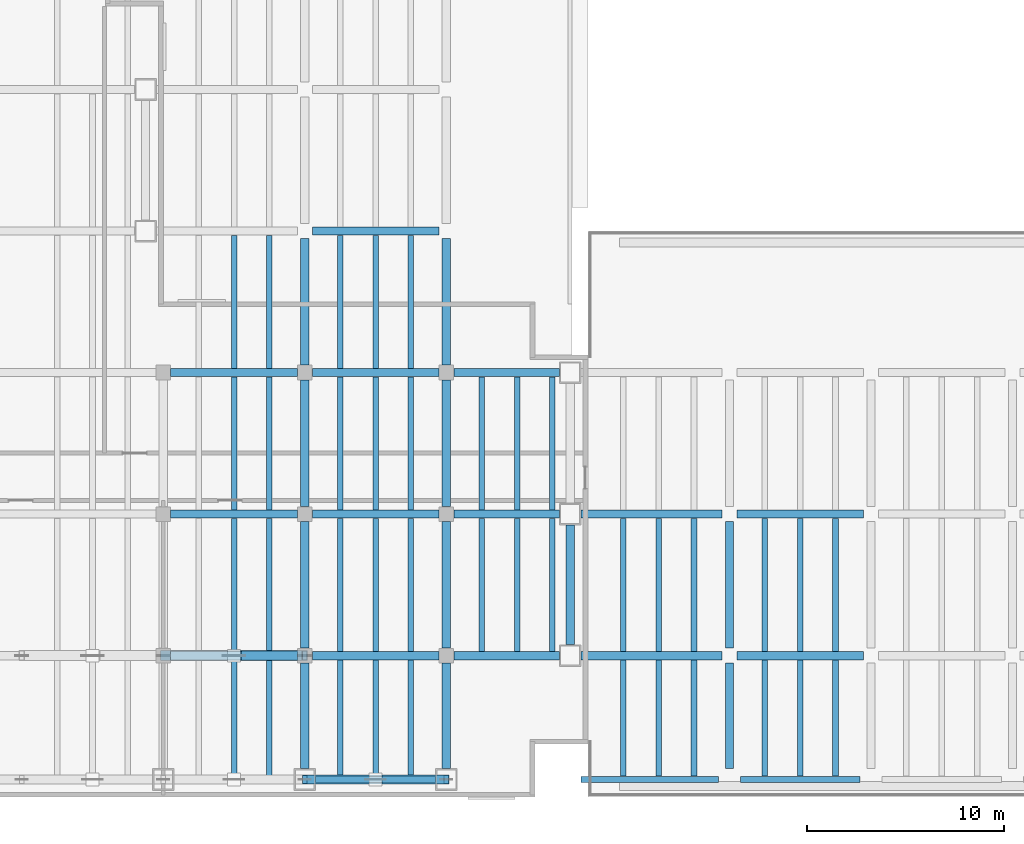
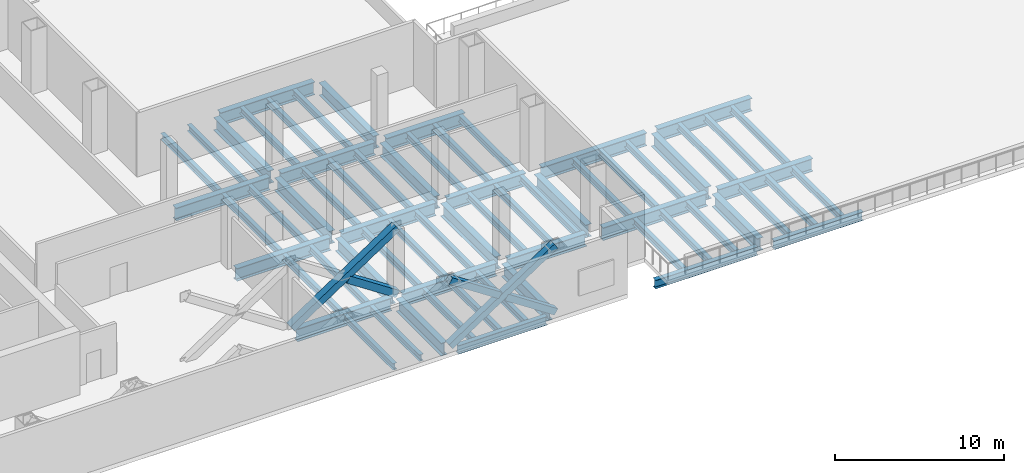
# One storey, part 2 of 12: 66 beams, 5 members.
"""IFC4 building model written with IfcOpenShell, lengths in metres."""

from ifc_helpers import new_model, si_unit, direction, frame, origin, origin_2d, place, context, subcontext, project, spatial, hollow_rectangle, i_section, extrude, material, material_profile, profile_set, type_object, element, save


model = new_model("IFC4")

# Units and contexts
model_context = context("Model", 3, precision=1e-05, world=origin(), true_north=direction((0.0, 1.0)))
body_context = subcontext(model_context, "Body", "Model", "MODEL_VIEW")
ifc_project = project(units=[si_unit("LENGTHUNIT", "METRE"), si_unit("AREAUNIT", "SQUARE_METRE"), si_unit("VOLUMEUNIT", "CUBIC_METRE"), si_unit("PLANEANGLEUNIT", "RADIAN"), si_unit("MASSUNIT", "GRAM", prefix="KILO")], contexts=[model_context])

# Site, building, storey
site_placement = place(None, origin())
site = spatial("IfcSite", under=ifc_project, at=site_placement, CompositionType="ELEMENT")
building_placement = place(site_placement, origin())
building = spatial("IfcBuilding", under=site, at=building_placement, Name="Cobrela Telecom Tower", CompositionType="ELEMENT")
storey_placement = place(building_placement, frame((0.0, 0.0, 26.25)))
storey = spatial("IfcBuildingStorey", under=building, at=storey_placement, Name="L06", CompositionType="ELEMENT", Elevation=26.25)

# Beams
ifc_material_1 = material(Name="Steel ASTM A992 Grade 50", Category="steel")
ifc_material_profile_1 = material_profile(ifc_material_1, i_section(OverallWidth=0.4189453125, OverallDepth=0.927001953125, WebThickness=0.019287109375, FlangeThickness=0.031982421875, FilletRadius=0.02392578125, at=origin_2d()), Name="W36X231")
ifc_profile_set_1 = profile_set([ifc_material_profile_1], Name="Steel ASTM A992 Grade 50")
beam_type_1 = type_object("IfcBeamType", Name="BM-GIRD-02", PredefinedType="USERDEFINED", material=ifc_profile_set_1)
for number, where, z_axis, x_axis, name in (
    (1, (29.179931640625, 7.199951171875, -0.763427734375), (1.0, 0.0, 0.0), (0.0, 1.0, 0.0), "L06 Primary Girder X12"),
    (2, (36.3798828125, 7.199951171875, -0.763427734375), (1.0, 0.0, 0.0), (0.0, 1.0, 0.0), "L06 Primary Girder X13"),
):
    element("IfcBeam", number, at=place(storey_placement, frame(where, z_axis=z_axis, x_axis=x_axis)), inside=storey, type_object=beam_type_1, Name=name, ObjectType="GIRDER", PredefinedType="USERDEFINED", context=body_context, shape_type="SweptSolid", body=[
        extrude(i_section(OverallWidth=0.4189453125, OverallDepth=0.927001953125, WebThickness=0.019287109375, FlangeThickness=0.031982421875, FilletRadius=0.02392578125, at=origin_2d()), origin(), (0.0, 0.0, 1.0), 6.440185546875),
    ])
beam_1_placement = place(storey_placement, frame((43.580078125, 7.199951171875, -0.763427734375), z_axis=(1.0, 0.0, 0.0), x_axis=(0.0, 1.0, 0.0)))
element("IfcBeam", 3, at=beam_1_placement, inside=storey, type_object=beam_type_1, Name="L06 Primary Girder X14", ObjectType="GIRDER", PredefinedType="USERDEFINED", context=body_context, shape_type="SweptSolid", body=[
    extrude(i_section(OverallWidth=0.4189453125, OverallDepth=0.927001953125, WebThickness=0.019287109375, FlangeThickness=0.031982421875, FilletRadius=0.02392578125, at=origin_2d()), origin(), (0.0, 0.0, 1.0), 5.364990234375),
])
beam_2_placement = place(storey_placement, frame((50.054931640625, 7.199951171875, -0.763427734375), z_axis=(1.0, 0.0, 0.0), x_axis=(0.0, 1.0, 0.0)))
element("IfcBeam", 4, at=beam_2_placement, inside=storey, type_object=beam_type_1, Name="L06 Primary Girder X15", ObjectType="GIRDER", PredefinedType="USERDEFINED", context=body_context, shape_type="SweptSolid", body=[
    extrude(i_section(OverallWidth=0.4189453125, OverallDepth=0.927001953125, WebThickness=0.019287109375, FlangeThickness=0.031982421875, FilletRadius=0.02392578125, at=origin_2d()), origin(), (0.0, 0.0, 1.0), 7.1650390625),
])
beam_3_placement = place(storey_placement, frame((57.97998046875, 7.199951171875, -0.763427734375), z_axis=(1.0, 0.0, 0.0), x_axis=(0.0, 1.0, 0.0)))
element("IfcBeam", 5, at=beam_3_placement, inside=storey, type_object=beam_type_1, Name="L06 Primary Girder X16", ObjectType="GIRDER", PredefinedType="USERDEFINED", context=body_context, shape_type="SweptSolid", body=[
    extrude(i_section(OverallWidth=0.4189453125, OverallDepth=0.927001953125, WebThickness=0.019287109375, FlangeThickness=0.031982421875, FilletRadius=0.02392578125, at=origin_2d()), origin(), (0.0, 0.0, 1.0), 6.43994140625),
])
for number, where, z_axis, x_axis, name in (
    (6, (29.179931640625, 14.39990234375, -0.763427734375), (1.0, 0.0, 0.0), (0.0, 1.0, 0.0), "L06 Primary Girder X20"),
    (7, (36.3798828125, 14.39990234375, -0.763427734375), (1.0, 0.0, 0.0), (0.0, 1.0, 0.0), "L06 Primary Girder X21"),
):
    element("IfcBeam", number, at=place(storey_placement, frame(where, z_axis=z_axis, x_axis=x_axis)), inside=storey, type_object=beam_type_1, Name=name, ObjectType="GIRDER", PredefinedType="USERDEFINED", context=body_context, shape_type="SweptSolid", body=[
        extrude(i_section(OverallWidth=0.4189453125, OverallDepth=0.927001953125, WebThickness=0.019287109375, FlangeThickness=0.031982421875, FilletRadius=0.02392578125, at=origin_2d()), origin(), (0.0, 0.0, 1.0), 6.440185546875),
    ])
beam_4_placement = place(storey_placement, frame((43.580078125, 14.39990234375, -0.763427734375), z_axis=(1.0, 0.0, 0.0), x_axis=(0.0, 1.0, 0.0)))
element("IfcBeam", 8, at=beam_4_placement, inside=storey, type_object=beam_type_1, Name="L06 Primary Girder X22", ObjectType="GIRDER", PredefinedType="USERDEFINED", context=body_context, shape_type="SweptSolid", body=[
    extrude(i_section(OverallWidth=0.4189453125, OverallDepth=0.927001953125, WebThickness=0.019287109375, FlangeThickness=0.031982421875, FilletRadius=0.02392578125, at=origin_2d()), origin(), (0.0, 0.0, 1.0), 5.364990234375),
])
beam_5_placement = place(storey_placement, frame((50.054931640625, 14.39990234375, -0.763427734375), z_axis=(1.0, 0.0, 0.0), x_axis=(0.0, 1.0, 0.0)))
element("IfcBeam", 9, at=beam_5_placement, inside=storey, type_object=beam_type_1, Name="L06 Primary Girder X23", ObjectType="GIRDER", PredefinedType="USERDEFINED", context=body_context, shape_type="SweptSolid", body=[
    extrude(i_section(OverallWidth=0.4189453125, OverallDepth=0.927001953125, WebThickness=0.019287109375, FlangeThickness=0.031982421875, FilletRadius=0.02392578125, at=origin_2d()), origin(), (0.0, 0.0, 1.0), 7.1650390625),
])
beam_6_placement = place(storey_placement, frame((57.97998046875, 14.39990234375, -0.763427734375), z_axis=(1.0, 0.0, 0.0), x_axis=(0.0, 1.0, 0.0)))
element("IfcBeam", 10, at=beam_6_placement, inside=storey, type_object=beam_type_1, Name="L06 Primary Girder X24", ObjectType="GIRDER", PredefinedType="USERDEFINED", context=body_context, shape_type="SweptSolid", body=[
    extrude(i_section(OverallWidth=0.4189453125, OverallDepth=0.927001953125, WebThickness=0.019287109375, FlangeThickness=0.031982421875, FilletRadius=0.02392578125, at=origin_2d()), origin(), (0.0, 0.0, 1.0), 6.43994140625),
])
for number, where, z_axis, x_axis, name in (
    (11, (29.179931640625, 21.60009765625, -0.763427734375), (1.0, 0.0, 0.0), (0.0, 1.0, 0.0), "L06 Primary Girder X29"),
    (12, (36.3798828125, 21.60009765625, -0.763427734375), (1.0, 0.0, 0.0), (0.0, 1.0, 0.0), "L06 Primary Girder X30"),
):
    element("IfcBeam", number, at=place(storey_placement, frame(where, z_axis=z_axis, x_axis=x_axis)), inside=storey, type_object=beam_type_1, Name=name, ObjectType="GIRDER", PredefinedType="USERDEFINED", context=body_context, shape_type="SweptSolid", body=[
        extrude(i_section(OverallWidth=0.4189453125, OverallDepth=0.927001953125, WebThickness=0.019287109375, FlangeThickness=0.031982421875, FilletRadius=0.02392578125, at=origin_2d()), origin(), (0.0, 0.0, 1.0), 6.440185546875),
    ])
beam_7_placement = place(storey_placement, frame((43.580078125, 21.60009765625, -0.763427734375), z_axis=(1.0, 0.0, 0.0), x_axis=(0.0, 1.0, 0.0)))
element("IfcBeam", 13, at=beam_7_placement, inside=storey, type_object=beam_type_1, Name="L06 Primary Girder X31", ObjectType="GIRDER", PredefinedType="USERDEFINED", context=body_context, shape_type="SweptSolid", body=[
    extrude(i_section(OverallWidth=0.4189453125, OverallDepth=0.927001953125, WebThickness=0.019287109375, FlangeThickness=0.031982421875, FilletRadius=0.02392578125, at=origin_2d()), origin(), (0.0, 0.0, 1.0), 5.364990234375),
])
beam_8_placement = place(storey_placement, frame((36.3798828125, 28.800048828125, -0.763427734375), z_axis=(1.0, 0.0, 0.0), x_axis=(0.0, 1.0, 0.0)))
element("IfcBeam", 14, at=beam_8_placement, inside=storey, type_object=beam_type_1, Name="L06 Primary Girder X39", ObjectType="GIRDER", PredefinedType="USERDEFINED", context=body_context, shape_type="SweptSolid", body=[
    extrude(i_section(OverallWidth=0.4189453125, OverallDepth=0.927001953125, WebThickness=0.019287109375, FlangeThickness=0.031982421875, FilletRadius=0.02392578125, at=origin_2d()), origin(), (0.0, 0.0, 1.0), 6.440185546875),
])
beam_9_placement = place(storey_placement, frame((36.0, 1.455078125, -0.763427734375), z_axis=(0.0, 1.0, 0.0), x_axis=(-1.0, 0.0, 0.0)))
element("IfcBeam", 15, at=beam_9_placement, inside=storey, type_object=beam_type_1, Name="L06 Primary Girder Y70", ObjectType="GIRDER", PredefinedType="USERDEFINED", context=body_context, shape_type="SweptSolid", body=[
    extrude(i_section(OverallWidth=0.4189453125, OverallDepth=0.927001953125, WebThickness=0.019287109375, FlangeThickness=0.031982421875, FilletRadius=0.02392578125, at=origin_2d()), origin(), (0.0, 0.0, 1.0), 5.364990234375),
])
for number, where, z_axis, x_axis, name in (
    (16, (36.0, 7.580078125, -0.763427734375), (0.0, 1.0, 0.0), (-1.0, 0.0, 0.0), "L06 Primary Girder Y71"),
    (17, (36.0, 14.780029296875, -0.763427734375), (0.0, 1.0, 0.0), (-1.0, 0.0, 0.0), "L06 Primary Girder Y72"),
    (18, (36.0, 21.97998046875, -0.763427734375), (0.0, 1.0, 0.0), (-1.0, 0.0, 0.0), "L06 Primary Girder Y73"),
):
    element("IfcBeam", number, at=place(storey_placement, frame(where, z_axis=z_axis, x_axis=x_axis)), inside=storey, type_object=beam_type_1, Name=name, ObjectType="GIRDER", PredefinedType="USERDEFINED", context=body_context, shape_type="SweptSolid", body=[
        extrude(i_section(OverallWidth=0.4189453125, OverallDepth=0.927001953125, WebThickness=0.019287109375, FlangeThickness=0.031982421875, FilletRadius=0.02392578125, at=origin_2d()), origin(), (0.0, 0.0, 1.0), 6.43994140625),
    ])
beam_10_placement = place(storey_placement, frame((43.199951171875, 1.455078125, -0.763427734375), z_axis=(0.0, 1.0, 0.0), x_axis=(-1.0, 0.0, 0.0)))
element("IfcBeam", 19, at=beam_10_placement, inside=storey, type_object=beam_type_1, Name="L06 Primary Girder Y77", ObjectType="GIRDER", PredefinedType="USERDEFINED", context=body_context, shape_type="SweptSolid", body=[
    extrude(i_section(OverallWidth=0.4189453125, OverallDepth=0.927001953125, WebThickness=0.019287109375, FlangeThickness=0.031982421875, FilletRadius=0.02392578125, at=origin_2d()), origin(), (0.0, 0.0, 1.0), 5.364990234375),
])
for number, where, z_axis, x_axis, name in (
    (20, (43.199951171875, 7.580078125, -0.763427734375), (0.0, 1.0, 0.0), (-1.0, 0.0, 0.0), "L06 Primary Girder Y78"),
    (21, (43.199951171875, 14.780029296875, -0.763427734375), (0.0, 1.0, 0.0), (-1.0, 0.0, 0.0), "L06 Primary Girder Y79"),
    (22, (43.199951171875, 21.97998046875, -0.763427734375), (0.0, 1.0, 0.0), (-1.0, 0.0, 0.0), "L06 Primary Girder Y80"),
):
    element("IfcBeam", number, at=place(storey_placement, frame(where, z_axis=z_axis, x_axis=x_axis)), inside=storey, type_object=beam_type_1, Name=name, ObjectType="GIRDER", PredefinedType="USERDEFINED", context=body_context, shape_type="SweptSolid", body=[
        extrude(i_section(OverallWidth=0.4189453125, OverallDepth=0.927001953125, WebThickness=0.019287109375, FlangeThickness=0.031982421875, FilletRadius=0.02392578125, at=origin_2d()), origin(), (0.0, 0.0, 1.0), 6.43994140625),
    ])
beam_11_placement = place(storey_placement, frame((49.5, 7.7548828125, -0.763427734375), z_axis=(0.0, 1.0, 0.0), x_axis=(-1.0, 0.0, 0.0)))
element("IfcBeam", 23, at=beam_11_placement, inside=storey, type_object=beam_type_1, Name="L06 Primary Girder Y84", ObjectType="GIRDER", PredefinedType="USERDEFINED", context=body_context, shape_type="SweptSolid", body=[
    extrude(i_section(OverallWidth=0.4189453125, OverallDepth=0.927001953125, WebThickness=0.019287109375, FlangeThickness=0.031982421875, FilletRadius=0.02392578125, at=origin_2d()), origin(), (0.0, 0.0, 1.0), 6.090087890625),
])
beam_12_placement = place(storey_placement, frame((57.60009765625, 1.455078125, -0.763427734375), z_axis=(0.0, 1.0, 0.0), x_axis=(-1.0, 0.0, 0.0)))
element("IfcBeam", 24, at=beam_12_placement, inside=storey, type_object=beam_type_1, Name="L06 Primary Girder Y86", ObjectType="GIRDER", PredefinedType="USERDEFINED", context=body_context, shape_type="SweptSolid", body=[
    extrude(i_section(OverallWidth=0.4189453125, OverallDepth=0.927001953125, WebThickness=0.019287109375, FlangeThickness=0.031982421875, FilletRadius=0.02392578125, at=origin_2d()), origin(), (0.0, 0.0, 1.0), 5.364990234375),
])
beam_13_placement = place(storey_placement, frame((57.60009765625, 7.580078125, -0.763427734375), z_axis=(0.0, 1.0, 0.0), x_axis=(-1.0, 0.0, 0.0)))
element("IfcBeam", 25, at=beam_13_placement, inside=storey, type_object=beam_type_1, Name="L06 Primary Girder Y87", ObjectType="GIRDER", PredefinedType="USERDEFINED", context=body_context, shape_type="SweptSolid", body=[
    extrude(i_section(OverallWidth=0.4189453125, OverallDepth=0.927001953125, WebThickness=0.019287109375, FlangeThickness=0.031982421875, FilletRadius=0.02392578125, at=origin_2d()), origin(), (0.0, 0.0, 1.0), 6.43994140625),
])
ifc_material_profile_2 = material_profile(ifc_material_1, i_section(OverallWidth=0.281982421875, OverallDepth=0.467041015625, WebThickness=0.01220703125, FlangeThickness=0.01953125, FilletRadius=0.012939453125, at=origin_2d()), Name="W18X86")
ifc_profile_set_2 = profile_set([ifc_material_profile_2], Name="Steel ASTM A992 Grade 50")
beam_type_2 = type_object("IfcBeamType", Name="BM-JOIST-02", PredefinedType="JOIST", material=ifc_profile_set_2)
beam_14_placement = place(storey_placement, frame((32.39990234375, 1.0673828125, -0.533447265625), z_axis=(0.0, 1.0, 0.0), x_axis=(-1.0, 0.0, 0.0)))
element("IfcBeam", 26, at=beam_14_placement, inside=storey, type_object=beam_type_2, Name="L06 Secondary Composite Floor Beam J60", PredefinedType="JOIST", context=body_context, shape_type="SweptSolid", body=[
    extrude(i_section(OverallWidth=0.281982421875, OverallDepth=0.467041015625, WebThickness=0.01220703125, FlangeThickness=0.01953125, FilletRadius=0.012939453125, at=origin_2d()), origin(), (0.0, 0.0, 1.0), 5.918212890625),
])
for number, where, z_axis, x_axis, name in (
    (27, (32.39990234375, 7.41455078125, -0.533447265625), (0.0, 1.0, 0.0), (-1.0, 0.0, 0.0), "L06 Secondary Composite Floor Beam J61"),
    (28, (32.39990234375, 14.614501953125, -0.533447265625), (0.0, 1.0, 0.0), (-1.0, 0.0, 0.0), "L06 Secondary Composite Floor Beam J62"),
    (29, (32.39990234375, 21.814453125, -0.533447265625), (0.0, 1.0, 0.0), (-1.0, 0.0, 0.0), "L06 Secondary Composite Floor Beam J63"),
):
    element("IfcBeam", number, at=place(storey_placement, frame(where, z_axis=z_axis, x_axis=x_axis)), inside=storey, type_object=beam_type_2, Name=name, PredefinedType="JOIST", context=body_context, shape_type="SweptSolid", body=[
        extrude(i_section(OverallWidth=0.281982421875, OverallDepth=0.467041015625, WebThickness=0.01220703125, FlangeThickness=0.01953125, FilletRadius=0.012939453125, at=origin_2d()), origin(), (0.0, 0.0, 1.0), 6.77099609375),
    ])
beam_15_placement = place(storey_placement, frame((34.199951171875, 1.0673828125, -0.533447265625), z_axis=(0.0, 1.0, 0.0), x_axis=(-1.0, 0.0, 0.0)))
element("IfcBeam", 30, at=beam_15_placement, inside=storey, type_object=beam_type_2, Name="L06 Secondary Composite Floor Beam J66", PredefinedType="JOIST", context=body_context, shape_type="SweptSolid", body=[
    extrude(i_section(OverallWidth=0.281982421875, OverallDepth=0.467041015625, WebThickness=0.01220703125, FlangeThickness=0.01953125, FilletRadius=0.012939453125, at=origin_2d()), origin(), (0.0, 0.0, 1.0), 5.918212890625),
])
for number, where, z_axis, x_axis, name in (
    (31, (34.199951171875, 7.41455078125, -0.533447265625), (0.0, 1.0, 0.0), (-1.0, 0.0, 0.0), "L06 Secondary Composite Floor Beam J67"),
    (32, (34.199951171875, 14.614501953125, -0.533447265625), (0.0, 1.0, 0.0), (-1.0, 0.0, 0.0), "L06 Secondary Composite Floor Beam J68"),
    (33, (34.199951171875, 21.814453125, -0.533447265625), (0.0, 1.0, 0.0), (-1.0, 0.0, 0.0), "L06 Secondary Composite Floor Beam J69"),
):
    element("IfcBeam", number, at=place(storey_placement, frame(where, z_axis=z_axis, x_axis=x_axis)), inside=storey, type_object=beam_type_2, Name=name, PredefinedType="JOIST", context=body_context, shape_type="SweptSolid", body=[
        extrude(i_section(OverallWidth=0.281982421875, OverallDepth=0.467041015625, WebThickness=0.01220703125, FlangeThickness=0.01953125, FilletRadius=0.012939453125, at=origin_2d()), origin(), (0.0, 0.0, 1.0), 6.77099609375),
    ])
beam_16_placement = place(storey_placement, frame((37.800048828125, 1.0673828125, -0.533447265625), z_axis=(0.0, 1.0, 0.0), x_axis=(-1.0, 0.0, 0.0)))
element("IfcBeam", 34, at=beam_16_placement, inside=storey, type_object=beam_type_2, Name="L06 Secondary Composite Floor Beam J73", PredefinedType="JOIST", context=body_context, shape_type="SweptSolid", body=[
    extrude(i_section(OverallWidth=0.281982421875, OverallDepth=0.467041015625, WebThickness=0.01220703125, FlangeThickness=0.01953125, FilletRadius=0.012939453125, at=origin_2d()), origin(), (0.0, 0.0, 1.0), 5.918212890625),
])
for number, where, z_axis, x_axis, name in (
    (35, (37.800048828125, 7.41455078125, -0.533447265625), (0.0, 1.0, 0.0), (-1.0, 0.0, 0.0), "L06 Secondary Composite Floor Beam J74"),
    (36, (37.800048828125, 14.614501953125, -0.533447265625), (0.0, 1.0, 0.0), (-1.0, 0.0, 0.0), "L06 Secondary Composite Floor Beam J75"),
    (37, (37.800048828125, 21.814453125, -0.533447265625), (0.0, 1.0, 0.0), (-1.0, 0.0, 0.0), "L06 Secondary Composite Floor Beam J76"),
):
    element("IfcBeam", number, at=place(storey_placement, frame(where, z_axis=z_axis, x_axis=x_axis)), inside=storey, type_object=beam_type_2, Name=name, PredefinedType="JOIST", context=body_context, shape_type="SweptSolid", body=[
        extrude(i_section(OverallWidth=0.281982421875, OverallDepth=0.467041015625, WebThickness=0.01220703125, FlangeThickness=0.01953125, FilletRadius=0.012939453125, at=origin_2d()), origin(), (0.0, 0.0, 1.0), 6.77099609375),
    ])
beam_17_placement = place(storey_placement, frame((39.60009765625, 1.0673828125, -0.533447265625), z_axis=(0.0, 1.0, 0.0), x_axis=(-1.0, 0.0, 0.0)))
element("IfcBeam", 38, at=beam_17_placement, inside=storey, type_object=beam_type_2, Name="L06 Secondary Composite Floor Beam J80", PredefinedType="JOIST", context=body_context, shape_type="SweptSolid", body=[
    extrude(i_section(OverallWidth=0.281982421875, OverallDepth=0.467041015625, WebThickness=0.01220703125, FlangeThickness=0.01953125, FilletRadius=0.012939453125, at=origin_2d()), origin(), (0.0, 0.0, 1.0), 5.918212890625),
])
for number, where, z_axis, x_axis, name in (
    (39, (39.60009765625, 7.41455078125, -0.533447265625), (0.0, 1.0, 0.0), (-1.0, 0.0, 0.0), "L06 Secondary Composite Floor Beam J81"),
    (40, (39.60009765625, 14.614501953125, -0.533447265625), (0.0, 1.0, 0.0), (-1.0, 0.0, 0.0), "L06 Secondary Composite Floor Beam J82"),
    (41, (39.60009765625, 21.814453125, -0.533447265625), (0.0, 1.0, 0.0), (-1.0, 0.0, 0.0), "L06 Secondary Composite Floor Beam J83"),
):
    element("IfcBeam", number, at=place(storey_placement, frame(where, z_axis=z_axis, x_axis=x_axis)), inside=storey, type_object=beam_type_2, Name=name, PredefinedType="JOIST", context=body_context, shape_type="SweptSolid", body=[
        extrude(i_section(OverallWidth=0.281982421875, OverallDepth=0.467041015625, WebThickness=0.01220703125, FlangeThickness=0.01953125, FilletRadius=0.012939453125, at=origin_2d()), origin(), (0.0, 0.0, 1.0), 6.77099609375),
    ])
beam_18_placement = place(storey_placement, frame((41.39990234375, 1.0673828125, -0.533447265625), z_axis=(0.0, 1.0, 0.0), x_axis=(-1.0, 0.0, 0.0)))
element("IfcBeam", 42, at=beam_18_placement, inside=storey, type_object=beam_type_2, Name="L06 Secondary Composite Floor Beam J87", PredefinedType="JOIST", context=body_context, shape_type="SweptSolid", body=[
    extrude(i_section(OverallWidth=0.281982421875, OverallDepth=0.467041015625, WebThickness=0.01220703125, FlangeThickness=0.01953125, FilletRadius=0.012939453125, at=origin_2d()), origin(), (0.0, 0.0, 1.0), 5.918212890625),
])
for number, where, z_axis, x_axis, name in (
    (43, (41.39990234375, 7.41455078125, -0.533447265625), (0.0, 1.0, 0.0), (-1.0, 0.0, 0.0), "L06 Secondary Composite Floor Beam J88"),
    (44, (41.39990234375, 14.614501953125, -0.533447265625), (0.0, 1.0, 0.0), (-1.0, 0.0, 0.0), "L06 Secondary Composite Floor Beam J89"),
    (45, (41.39990234375, 21.814453125, -0.533447265625), (0.0, 1.0, 0.0), (-1.0, 0.0, 0.0), "L06 Secondary Composite Floor Beam J90"),
    (46, (45.0, 7.41455078125, -0.533447265625), (0.0, 1.0, 0.0), (-1.0, 0.0, 0.0), "L06 Secondary Composite Floor Beam J94"),
    (47, (45.0, 14.614501953125, -0.533447265625), (0.0, 1.0, 0.0), (-1.0, 0.0, 0.0), "L06 Secondary Composite Floor Beam J95"),
    (48, (46.800048828125, 7.41455078125, -0.533447265625), (0.0, 1.0, 0.0), (-1.0, 0.0, 0.0), "L06 Secondary Composite Floor Beam J96"),
    (49, (46.800048828125, 14.614501953125, -0.533447265625), (0.0, 1.0, 0.0), (-1.0, 0.0, 0.0), "L06 Secondary Composite Floor Beam J97"),
    (50, (48.60009765625, 7.41455078125, -0.533447265625), (0.0, 1.0, 0.0), (-1.0, 0.0, 0.0), "L06 Secondary Composite Floor Beam J98"),
    (51, (48.60009765625, 14.614501953125, -0.533447265625), (0.0, 1.0, 0.0), (-1.0, 0.0, 0.0), "L06 Secondary Composite Floor Beam J99"),
):
    element("IfcBeam", number, at=place(storey_placement, frame(where, z_axis=z_axis, x_axis=x_axis)), inside=storey, type_object=beam_type_2, Name=name, PredefinedType="JOIST", context=body_context, shape_type="SweptSolid", body=[
        extrude(i_section(OverallWidth=0.281982421875, OverallDepth=0.467041015625, WebThickness=0.01220703125, FlangeThickness=0.01953125, FilletRadius=0.012939453125, at=origin_2d()), origin(), (0.0, 0.0, 1.0), 6.77099609375),
    ])
beam_19_placement = place(storey_placement, frame((52.199951171875, 1.0673828125, -0.533447265625), z_axis=(0.0, 1.0, 0.0), x_axis=(-1.0, 0.0, 0.0)))
element("IfcBeam", 52, at=beam_19_placement, inside=storey, type_object=beam_type_2, Name="L06 Secondary Composite Floor Beam J100", PredefinedType="JOIST", context=body_context, shape_type="SweptSolid", body=[
    extrude(i_section(OverallWidth=0.281982421875, OverallDepth=0.467041015625, WebThickness=0.01220703125, FlangeThickness=0.01953125, FilletRadius=0.012939453125, at=origin_2d()), origin(), (0.0, 0.0, 1.0), 5.918212890625),
])
beam_20_placement = place(storey_placement, frame((52.199951171875, 7.41455078125, -0.533447265625), z_axis=(0.0, 1.0, 0.0), x_axis=(-1.0, 0.0, 0.0)))
element("IfcBeam", 53, at=beam_20_placement, inside=storey, type_object=beam_type_2, Name="L06 Secondary Composite Floor Beam J101", PredefinedType="JOIST", context=body_context, shape_type="SweptSolid", body=[
    extrude(i_section(OverallWidth=0.281982421875, OverallDepth=0.467041015625, WebThickness=0.01220703125, FlangeThickness=0.01953125, FilletRadius=0.012939453125, at=origin_2d()), origin(), (0.0, 0.0, 1.0), 6.77099609375),
])
beam_21_placement = place(storey_placement, frame((54.0, 1.0673828125, -0.533447265625), z_axis=(0.0, 1.0, 0.0), x_axis=(-1.0, 0.0, 0.0)))
element("IfcBeam", 54, at=beam_21_placement, inside=storey, type_object=beam_type_2, Name="L06 Secondary Composite Floor Beam J103", PredefinedType="JOIST", context=body_context, shape_type="SweptSolid", body=[
    extrude(i_section(OverallWidth=0.281982421875, OverallDepth=0.467041015625, WebThickness=0.01220703125, FlangeThickness=0.01953125, FilletRadius=0.012939453125, at=origin_2d()), origin(), (0.0, 0.0, 1.0), 5.918212890625),
])
beam_22_placement = place(storey_placement, frame((54.0, 7.41455078125, -0.533447265625), z_axis=(0.0, 1.0, 0.0), x_axis=(-1.0, 0.0, 0.0)))
element("IfcBeam", 55, at=beam_22_placement, inside=storey, type_object=beam_type_2, Name="L06 Secondary Composite Floor Beam J104", PredefinedType="JOIST", context=body_context, shape_type="SweptSolid", body=[
    extrude(i_section(OverallWidth=0.281982421875, OverallDepth=0.467041015625, WebThickness=0.01220703125, FlangeThickness=0.01953125, FilletRadius=0.012939453125, at=origin_2d()), origin(), (0.0, 0.0, 1.0), 6.77099609375),
])
beam_23_placement = place(storey_placement, frame((55.800048828125, 1.0673828125, -0.533447265625), z_axis=(0.0, 1.0, 0.0), x_axis=(-1.0, 0.0, 0.0)))
element("IfcBeam", 56, at=beam_23_placement, inside=storey, type_object=beam_type_2, Name="L06 Secondary Composite Floor Beam J106", PredefinedType="JOIST", context=body_context, shape_type="SweptSolid", body=[
    extrude(i_section(OverallWidth=0.281982421875, OverallDepth=0.467041015625, WebThickness=0.01220703125, FlangeThickness=0.01953125, FilletRadius=0.012939453125, at=origin_2d()), origin(), (0.0, 0.0, 1.0), 5.918212890625),
])
beam_24_placement = place(storey_placement, frame((55.800048828125, 7.41455078125, -0.533447265625), z_axis=(0.0, 1.0, 0.0), x_axis=(-1.0, 0.0, 0.0)))
element("IfcBeam", 57, at=beam_24_placement, inside=storey, type_object=beam_type_2, Name="L06 Secondary Composite Floor Beam J107", PredefinedType="JOIST", context=body_context, shape_type="SweptSolid", body=[
    extrude(i_section(OverallWidth=0.281982421875, OverallDepth=0.467041015625, WebThickness=0.01220703125, FlangeThickness=0.01953125, FilletRadius=0.012939453125, at=origin_2d()), origin(), (0.0, 0.0, 1.0), 6.77099609375),
])
beam_25_placement = place(storey_placement, frame((59.39990234375, 1.0673828125, -0.533447265625), z_axis=(0.0, 1.0, 0.0), x_axis=(-1.0, 0.0, 0.0)))
element("IfcBeam", 58, at=beam_25_placement, inside=storey, type_object=beam_type_2, Name="L06 Secondary Composite Floor Beam J109", PredefinedType="JOIST", context=body_context, shape_type="SweptSolid", body=[
    extrude(i_section(OverallWidth=0.281982421875, OverallDepth=0.467041015625, WebThickness=0.01220703125, FlangeThickness=0.01953125, FilletRadius=0.012939453125, at=origin_2d()), origin(), (0.0, 0.0, 1.0), 5.918212890625),
])
beam_26_placement = place(storey_placement, frame((59.39990234375, 7.41455078125, -0.533447265625), z_axis=(0.0, 1.0, 0.0), x_axis=(-1.0, 0.0, 0.0)))
element("IfcBeam", 59, at=beam_26_placement, inside=storey, type_object=beam_type_2, Name="L06 Secondary Composite Floor Beam J110", PredefinedType="JOIST", context=body_context, shape_type="SweptSolid", body=[
    extrude(i_section(OverallWidth=0.281982421875, OverallDepth=0.467041015625, WebThickness=0.01220703125, FlangeThickness=0.01953125, FilletRadius=0.012939453125, at=origin_2d()), origin(), (0.0, 0.0, 1.0), 6.77099609375),
])
beam_27_placement = place(storey_placement, frame((61.199951171875, 1.0673828125, -0.533447265625), z_axis=(0.0, 1.0, 0.0), x_axis=(-1.0, 0.0, 0.0)))
element("IfcBeam", 60, at=beam_27_placement, inside=storey, type_object=beam_type_2, Name="L06 Secondary Composite Floor Beam J112", PredefinedType="JOIST", context=body_context, shape_type="SweptSolid", body=[
    extrude(i_section(OverallWidth=0.281982421875, OverallDepth=0.467041015625, WebThickness=0.01220703125, FlangeThickness=0.01953125, FilletRadius=0.012939453125, at=origin_2d()), origin(), (0.0, 0.0, 1.0), 5.918212890625),
])
beam_28_placement = place(storey_placement, frame((61.199951171875, 7.41455078125, -0.533447265625), z_axis=(0.0, 1.0, 0.0), x_axis=(-1.0, 0.0, 0.0)))
element("IfcBeam", 61, at=beam_28_placement, inside=storey, type_object=beam_type_2, Name="L06 Secondary Composite Floor Beam J113", PredefinedType="JOIST", context=body_context, shape_type="SweptSolid", body=[
    extrude(i_section(OverallWidth=0.281982421875, OverallDepth=0.467041015625, WebThickness=0.01220703125, FlangeThickness=0.01953125, FilletRadius=0.012939453125, at=origin_2d()), origin(), (0.0, 0.0, 1.0), 6.77099609375),
])
beam_29_placement = place(storey_placement, frame((63.0, 1.0673828125, -0.533447265625), z_axis=(0.0, 1.0, 0.0), x_axis=(-1.0, 0.0, 0.0)))
element("IfcBeam", 62, at=beam_29_placement, inside=storey, type_object=beam_type_2, Name="L06 Secondary Composite Floor Beam J115", PredefinedType="JOIST", context=body_context, shape_type="SweptSolid", body=[
    extrude(i_section(OverallWidth=0.281982421875, OverallDepth=0.467041015625, WebThickness=0.01220703125, FlangeThickness=0.01953125, FilletRadius=0.012939453125, at=origin_2d()), origin(), (0.0, 0.0, 1.0), 5.918212890625),
])
beam_30_placement = place(storey_placement, frame((63.0, 7.41455078125, -0.533447265625), z_axis=(0.0, 1.0, 0.0), x_axis=(-1.0, 0.0, 0.0)))
element("IfcBeam", 63, at=beam_30_placement, inside=storey, type_object=beam_type_2, Name="L06 Secondary Composite Floor Beam J116", PredefinedType="JOIST", context=body_context, shape_type="SweptSolid", body=[
    extrude(i_section(OverallWidth=0.281982421875, OverallDepth=0.467041015625, WebThickness=0.01220703125, FlangeThickness=0.01953125, FilletRadius=0.012939453125, at=origin_2d()), origin(), (0.0, 0.0, 1.0), 6.77099609375),
])
ifc_material_profile_3 = material_profile(ifc_material_1, i_section(OverallWidth=0.324951171875, OverallDepth=0.612060546875, WebThickness=0.0126953125, FlangeThickness=0.01904296875, FilletRadius=0.014892578125, at=origin_2d()), Name="W24X104")
ifc_profile_set_3 = profile_set([ifc_material_profile_3], Name="Steel ASTM A992 Grade 50")
beam_type_3 = type_object("IfcBeamType", Name="BM-SPAND-02", PredefinedType="SPANDREL", material=ifc_profile_set_3)
beam_31_placement = place(storey_placement, frame((36.554931640625, 0.89990234375, -0.60595703125), z_axis=(1.0, 0.0, 0.0), x_axis=(0.0, 1.0, 0.0)))
element("IfcBeam", 64, at=beam_31_placement, inside=storey, type_object=beam_type_3, Name="L06 Perimeter Spandrel X04", PredefinedType="SPANDREL", context=body_context, shape_type="SweptSolid", body=[
    extrude(i_section(OverallWidth=0.324951171875, OverallDepth=0.612060546875, WebThickness=0.0126953125, FlangeThickness=0.01904296875, FilletRadius=0.014892578125, at=origin_2d()), origin(), (0.0, 0.0, 1.0), 6.090087890625),
])
beam_32_placement = place(storey_placement, frame((50.054931640625, 0.89990234375, -0.60595703125), z_axis=(1.0, 0.0, 0.0), x_axis=(0.0, 1.0, 0.0)))
element("IfcBeam", 65, at=beam_32_placement, inside=storey, type_object=beam_type_3, Name="L06 Perimeter Spandrel X05", PredefinedType="SPANDREL", context=body_context, shape_type="SweptSolid", body=[
    extrude(i_section(OverallWidth=0.324951171875, OverallDepth=0.612060546875, WebThickness=0.0126953125, FlangeThickness=0.01904296875, FilletRadius=0.014892578125, at=origin_2d()), origin(), (0.0, 0.0, 1.0), 6.989990234375),
])
beam_33_placement = place(storey_placement, frame((58.155029296875, 0.89990234375, -0.60595703125), z_axis=(1.0, 0.0, 0.0), x_axis=(0.0, 1.0, 0.0)))
element("IfcBeam", 66, at=beam_33_placement, inside=storey, type_object=beam_type_3, Name="L06 Perimeter Spandrel X06", PredefinedType="SPANDREL", context=body_context, shape_type="SweptSolid", body=[
    extrude(i_section(OverallWidth=0.324951171875, OverallDepth=0.612060546875, WebThickness=0.0126953125, FlangeThickness=0.01904296875, FilletRadius=0.014892578125, at=origin_2d()), origin(), (0.0, 0.0, 1.0), 6.090087890625),
])

# Members
ifc_material_2 = material(Name="Steel ASTM A572 Grade 50", Category="steel")
ifc_material_profile_4 = material_profile(ifc_material_2, hollow_rectangle(XDim=0.449951171875, YDim=0.449951171875, WallThickness=0.02197265625, at=origin_2d()), Name="HSS 450x450x22")
ifc_profile_set_4 = profile_set([ifc_material_profile_4], Name="Steel ASTM A572 Grade 50")
member_type_1 = type_object("IfcMemberType", Name="MBR-BELT", PredefinedType="BRACE", material=ifc_profile_set_4)
member_1_placement = place(storey_placement, frame((36.0, 0.89990234375, -0.139892578125), z_axis=(0.834180798292, 0.0, 0.551491065894), x_axis=(0.0, 1.0, 0.0)))
element("IfcMember", 67, at=member_1_placement, inside=storey, type_object=member_type_1, Name="L06 South Perimeter Belt Truss Brace 07 Continuous A", PredefinedType="BRACE", context=body_context, shape_type="SweptSolid", body=[
    extrude(hollow_rectangle(XDim=0.449951171875, YDim=0.449951171875, WallThickness=0.02197265625, at=origin_2d()), origin(), (0.0, 0.0, 1.0), 8.631103515625),
])
member_2_placement = place(storey_placement, frame((43.199951171875, 0.89990234375, -0.139892578125), z_axis=(-0.834179353991, 0.0, 0.551493250525), x_axis=(0.0, -1.0, 0.0)))
element("IfcMember", 68, at=member_2_placement, inside=storey, type_object=member_type_1, Name="L06 South Perimeter Belt Truss Brace 07 Split B1", PredefinedType="BRACE", context=body_context, shape_type="SweptSolid", body=[
    extrude(hollow_rectangle(XDim=0.449951171875, YDim=0.449951171875, WallThickness=0.02197265625, at=origin_2d()), origin(), (0.0, 0.0, 1.0), 4.0634765625),
])
member_3_placement = place(storey_placement, frame((39.389892578125, 0.89990234375, 2.37890625), z_axis=(-0.834169987889, 0.0, 0.551507417272), x_axis=(0.0, -1.0, 0.0)))
element("IfcMember", 69, at=member_3_placement, inside=storey, type_object=member_type_1, Name="L06 South Perimeter Belt Truss Brace 07 Split B2", PredefinedType="BRACE", context=body_context, shape_type="SweptSolid", body=[
    extrude(hollow_rectangle(XDim=0.449951171875, YDim=0.449951171875, WallThickness=0.02197265625, at=origin_2d()), origin(), (0.0, 0.0, 1.0), 4.063720703125),
])
ifc_material_profile_5 = material_profile(ifc_material_2, hollow_rectangle(XDim=0.5, YDim=0.5, WallThickness=0.02490234375, at=origin_2d()), Name="HSS 500x500x25")
ifc_profile_set_5 = profile_set([ifc_material_profile_5], Name="Steel ASTM A572 Grade 50")
member_type_2 = type_object("IfcMemberType", Name="MBR-OUTRIGGER", PredefinedType="BRACE", material=ifc_profile_set_5)
member_4_placement = place(storey_placement, frame((28.800048828125, 7.199951171875, -0.139892578125), z_axis=(0.834180798292, 0.0, 0.551491065894), x_axis=(0.0, 1.0, 0.0)))
element("IfcMember", 70, at=member_4_placement, inside=storey, type_object=member_type_2, Name="L06 Outrigger Truss Brace 02 Continuous A", PredefinedType="BRACE", context=body_context, shape_type="SweptSolid", body=[
    extrude(hollow_rectangle(XDim=0.5, YDim=0.5, WallThickness=0.02490234375, at=origin_2d()), origin(), (0.0, 0.0, 1.0), 8.631103515625),
])
member_5_placement = place(storey_placement, frame((36.0, 7.199951171875, -0.139892578125), z_axis=(-0.834184740148, 0.0, 0.551485103429), x_axis=(0.0, -1.0, 0.0)))
element("IfcMember", 71, at=member_5_placement, inside=storey, type_object=member_type_2, Name="L06 Outrigger Truss Brace 02 Split B1", PredefinedType="BRACE", context=body_context, shape_type="SweptSolid", body=[
    extrude(hollow_rectangle(XDim=0.5, YDim=0.5, WallThickness=0.02490234375, at=origin_2d()), origin(), (0.0, 0.0, 1.0), 4.03564453125),
])

save(model, "model.ifc")
